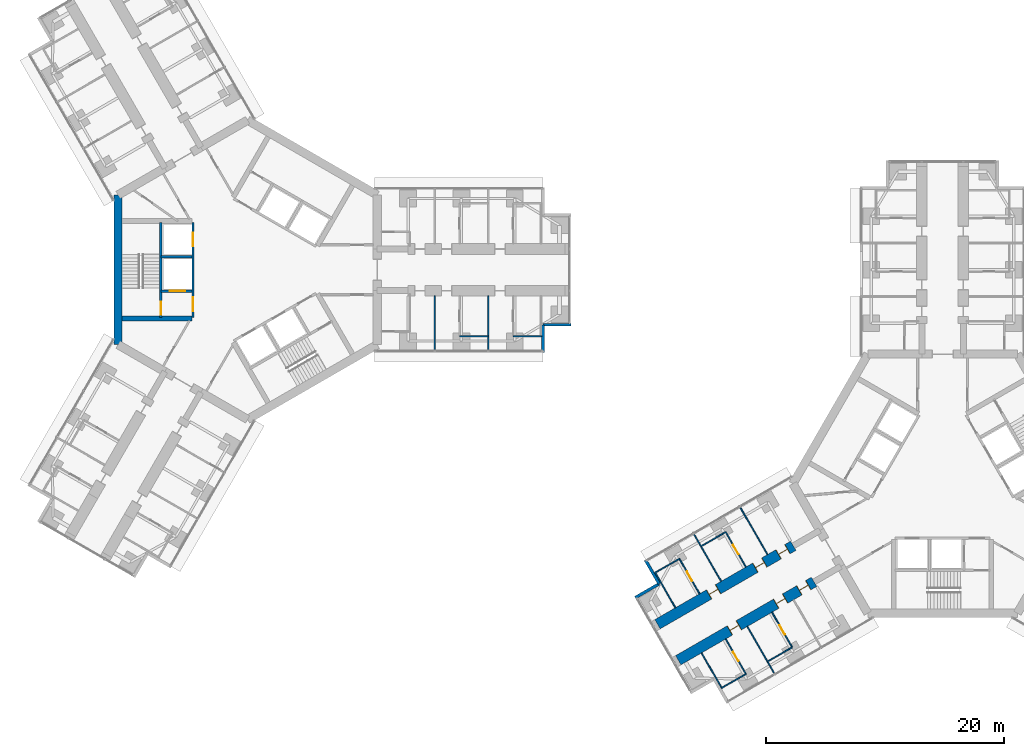
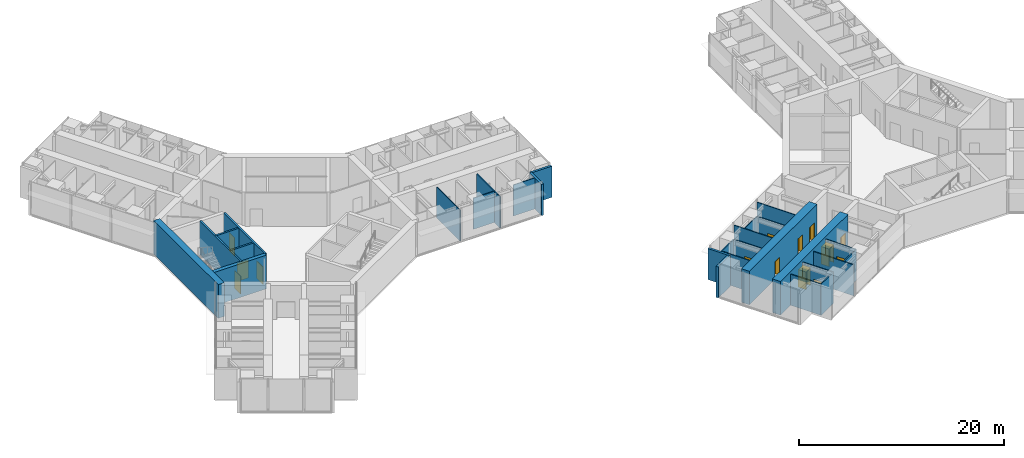
# One storey, part 17 of 25: 29 walls, 14 doors, 14 openings.
"""IFC4 building model written with IfcOpenShell, lengths in metres."""

from ifc_helpers import new_model, si_unit, direction, frame, frame_2d, origin, place, context, subcontext, project, spatial, rectangle, extrude, material, layer, layer_set, type_object, element, fill, save


model = new_model("IFC4")

# Units and contexts
model_context = context("Model", 3, precision=1e-05, world=origin(), true_north=direction((0.0, 1.0)))
body_context = subcontext(model_context, "Body", "Model", "MODEL_VIEW")
ifc_project = project(units=[si_unit("LENGTHUNIT", "METRE"), si_unit("AREAUNIT", "SQUARE_METRE"), si_unit("VOLUMEUNIT", "CUBIC_METRE"), si_unit("PLANEANGLEUNIT", "RADIAN"), si_unit("MASSUNIT", "GRAM", prefix="KILO")], contexts=[model_context])

# Site, building, storey
site_placement = place(None, origin())
site = spatial("IfcSite", under=ifc_project, at=site_placement, CompositionType="ELEMENT")
building_placement = place(site_placement, origin())
building = spatial("IfcBuilding", under=site, at=building_placement, Name="Upepo Twin Towers", CompositionType="ELEMENT")
storey_placement = place(building_placement, frame((0.0, 0.0, 88.5)))
storey = spatial("IfcBuildingStorey", under=building, at=storey_placement, Name="L21", CompositionType="ELEMENT", Elevation=88.5)

# Wall, openings, doors
ifc_material_1 = material(Name="Concrete C60/75", Category="concrete")
ifc_layer_1 = layer(ifc_material_1, 0.89990234375)
ifc_layer_set_1 = layer_set([ifc_layer_1], Name="Concrete C60/75")
wall_type_1 = type_object("IfcWallType", Name="Buttress wall 900 RC", PredefinedType="SHEAR", material=ifc_layer_set_1)
wall_1_placement = place(storey_placement, frame((47.68359375, -26.265625, 0.0), z_axis=(0.0, 0.0, 1.0), x_axis=(-0.866027579429, -0.499996231654, 0.0)))
wall_1 = element("IfcWall", 1, at=wall_1_placement, inside=storey, type_object=wall_type_1, Name="T2 wing B buttress wall L part 2", PredefinedType="SHEAR", context=body_context, shape_type="SweptSolid", body=[
    extrude(rectangle(XDim=13.19970703125, YDim=0.89990234375, at=frame_2d((6.599853515625, 0.0))), origin(), (0.0, 0.0, 1.0), 4.0),
])
opening_1_placement = place(wall_1_placement, frame((0.550048828125, 0.0, 0.0)))
opening_1 = element("IfcOpeningElement", 2, at=opening_1_placement, cuts=wall_1, Name="Opening D14", PredefinedType="OPENING", context=body_context, shape_type="SweptSolid", body=[
    extrude(rectangle(XDim=0.89990234375, YDim=2.10009765625, at=frame_2d((0.449951171875, 1.050048828125))), frame((0.0, 0.4599609375, 0.0), z_axis=(0.0, -1.0, 0.0), x_axis=(1.0, 0.0, 0.0)), (0.0, 0.0, 1.0), 0.919921875),
])
opening_2_placement = place(wall_1_placement, frame((2.800048828125, 0.0, 0.0)))
opening_2 = element("IfcOpeningElement", 3, at=opening_2_placement, cuts=wall_1, Name="Opening D14", PredefinedType="OPENING", context=body_context, shape_type="SweptSolid", body=[
    extrude(rectangle(XDim=0.89990234375, YDim=2.10009765625, at=frame_2d((0.449951171875, 1.050048828125))), frame((0.0, 0.4599609375, 0.0), z_axis=(0.0, -1.0, 0.0), x_axis=(1.0, 0.0, 0.0)), (0.0, 0.0, 1.0), 0.919921875),
])
opening_3_placement = place(wall_1_placement, frame((7.300048828125, 0.0, 0.0)))
opening_3 = element("IfcOpeningElement", 4, at=opening_3_placement, cuts=wall_1, Name="Opening D14", PredefinedType="OPENING", context=body_context, shape_type="SweptSolid", body=[
    extrude(rectangle(XDim=0.89990234375, YDim=2.10009765625, at=frame_2d((0.449951171875, 1.050048828125))), frame((0.0, 0.4599609375, 0.0), z_axis=(0.0, -1.0, 0.0), x_axis=(1.0, 0.0, 0.0)), (0.0, 0.0, 1.0), 0.919921875),
])
ifc_material_2 = material(Name="Timber doorset", Category="wood")
door_type_1 = type_object("IfcDoorType", Name="Office door 900 FD30", OperationType="SINGLE_SWING_LEFT", PredefinedType="DOOR", material=ifc_material_2)
door_1_placement = place(opening_1_placement, origin())
door_1 = element("IfcDoor", 5, at=door_1_placement, inside=storey, type_object=door_type_1, Name="T2 L21 staff office door", OperationType="SINGLE_SWING_LEFT", OverallHeight=2.10009765625, OverallWidth=0.89990234375, PredefinedType="DOOR", context=body_context, shape_type="SweptSolid", body=[
    extrude(rectangle(XDim=0.81990234375, YDim=2.06009765625, at=frame_2d((0.449951171875, 1.030029296875))), frame((0.0, 0.02490234375, 0.0), z_axis=(0.0, -1.0, 0.0), x_axis=(1.0, 0.0, 0.0)), (0.0, 0.0, 1.0), 0.050048828125),
    extrude(rectangle(XDim=0.04, YDim=2.10009765625, at=frame_2d((0.02001953125, 1.050048828125))), frame((0.0, 0.44970703125, 0.0), z_axis=(0.0, -1.0, 0.0), x_axis=(1.0, 0.0, 0.0)), (0.0, 0.0, 1.0), 0.8994140625),
    extrude(rectangle(XDim=0.04, YDim=2.10009765625, at=frame_2d((0.8798828125, 1.050048828125))), frame((0.0, 0.44970703125, 0.0), z_axis=(0.0, -1.0, 0.0), x_axis=(1.0, 0.0, 0.0)), (0.0, 0.0, 1.0), 0.8994140625),
    extrude(rectangle(XDim=0.81990234375, YDim=0.04, at=frame_2d((0.449951171875, 2.080078125))), frame((0.0, 0.44970703125, 0.0), z_axis=(0.0, -1.0, 0.0), x_axis=(1.0, 0.0, 0.0)), (0.0, 0.0, 1.0), 0.8994140625),
])
fill(opening_1, door_1)
door_2_placement = place(opening_2_placement, origin())
door_2 = element("IfcDoor", 6, at=door_2_placement, inside=storey, type_object=door_type_1, Name="T2 L21 meeting room door", OperationType="SINGLE_SWING_LEFT", OverallHeight=2.10009765625, OverallWidth=0.89990234375, PredefinedType="DOOR", context=body_context, shape_type="SweptSolid", body=[
    extrude(rectangle(XDim=0.81990234375, YDim=2.06009765625, at=frame_2d((0.449951171875, 1.030029296875))), frame((0.0, 0.02490234375, 0.0), z_axis=(0.0, -1.0, 0.0), x_axis=(1.0, 0.0, 0.0)), (0.0, 0.0, 1.0), 0.050048828125),
    extrude(rectangle(XDim=0.04, YDim=2.10009765625, at=frame_2d((0.02001953125, 1.050048828125))), frame((0.0, 0.44970703125, 0.0), z_axis=(0.0, -1.0, 0.0), x_axis=(1.0, 0.0, 0.0)), (0.0, 0.0, 1.0), 0.8994140625),
    extrude(rectangle(XDim=0.04, YDim=2.10009765625, at=frame_2d((0.8798828125, 1.050048828125))), frame((0.0, 0.44970703125, 0.0), z_axis=(0.0, -1.0, 0.0), x_axis=(1.0, 0.0, 0.0)), (0.0, 0.0, 1.0), 0.8994140625),
    extrude(rectangle(XDim=0.81990234375, YDim=0.04, at=frame_2d((0.449951171875, 2.080078125))), frame((0.0, 0.44970703125, 0.0), z_axis=(0.0, -1.0, 0.0), x_axis=(1.0, 0.0, 0.0)), (0.0, 0.0, 1.0), 0.8994140625),
])
fill(opening_2, door_2)
door_3_placement = place(opening_3_placement, origin())
door_3 = element("IfcDoor", 7, at=door_3_placement, inside=storey, type_object=door_type_1, Name="T2 L21 staff office door", OperationType="SINGLE_SWING_RIGHT", OverallHeight=2.10009765625, OverallWidth=0.89990234375, PredefinedType="DOOR", context=body_context, shape_type="SweptSolid", body=[
    extrude(rectangle(XDim=0.81990234375, YDim=2.06009765625, at=frame_2d((0.449951171875, 1.030029296875))), frame((0.0, 0.02490234375, 0.0), z_axis=(0.0, -1.0, 0.0), x_axis=(1.0, 0.0, 0.0)), (0.0, 0.0, 1.0), 0.050048828125),
    extrude(rectangle(XDim=0.04, YDim=2.10009765625, at=frame_2d((0.02001953125, 1.050048828125))), frame((0.0, 0.44970703125, 0.0), z_axis=(0.0, -1.0, 0.0), x_axis=(1.0, 0.0, 0.0)), (0.0, 0.0, 1.0), 0.8994140625),
    extrude(rectangle(XDim=0.04, YDim=2.10009765625, at=frame_2d((0.8798828125, 1.050048828125))), frame((0.0, 0.44970703125, 0.0), z_axis=(0.0, -1.0, 0.0), x_axis=(1.0, 0.0, 0.0)), (0.0, 0.0, 1.0), 0.8994140625),
    extrude(rectangle(XDim=0.81990234375, YDim=0.04, at=frame_2d((0.449951171875, 2.080078125))), frame((0.0, 0.44970703125, 0.0), z_axis=(0.0, -1.0, 0.0), x_axis=(1.0, 0.0, 0.0)), (0.0, 0.0, 1.0), 0.8994140625),
])
fill(opening_3, door_3)

wall_2_placement = place(storey_placement, frame((45.93359375, -23.234375, 0.0), z_axis=(0.0, 0.0, 1.0), x_axis=(-0.866019570528, -0.500010103361, 0.0)))
wall_2 = element("IfcWall", 8, at=wall_2_placement, inside=storey, type_object=wall_type_1, Name="T2 wing B buttress wall R part 2", PredefinedType="SHEAR", context=body_context, shape_type="SweptSolid", body=[
    extrude(rectangle(XDim=13.199951171875, YDim=0.89990234375, at=frame_2d((6.60009765625, 0.0))), origin(), (0.0, 0.0, 1.0), 4.0),
])
opening_4_placement = place(wall_2_placement, frame((0.550048828125, 0.0, 0.0)))
opening_4 = element("IfcOpeningElement", 9, at=opening_4_placement, cuts=wall_2, Name="Opening D14", PredefinedType="OPENING", context=body_context, shape_type="SweptSolid", body=[
    extrude(rectangle(XDim=0.89990234375, YDim=2.10009765625, at=frame_2d((0.449951171875, 1.050048828125))), frame((0.0, 0.4599609375, 0.0), z_axis=(0.0, -1.0, 0.0), x_axis=(1.0, 0.0, 0.0)), (0.0, 0.0, 1.0), 0.919921875),
])
opening_5_placement = place(wall_2_placement, frame((2.800048828125, 0.0, 0.0)))
opening_5 = element("IfcOpeningElement", 10, at=opening_5_placement, cuts=wall_2, Name="Opening D14", PredefinedType="OPENING", context=body_context, shape_type="SweptSolid", body=[
    extrude(rectangle(XDim=0.89990234375, YDim=2.10009765625, at=frame_2d((0.449951171875, 1.050048828125))), frame((0.0, 0.4599609375, 0.0), z_axis=(0.0, -1.0, 0.0), x_axis=(1.0, 0.0, 0.0)), (0.0, 0.0, 1.0), 0.919921875),
])
opening_6_placement = place(wall_2_placement, frame((7.300048828125, 0.0, 0.0)))
opening_6 = element("IfcOpeningElement", 11, at=opening_6_placement, cuts=wall_2, Name="Opening D14", PredefinedType="OPENING", context=body_context, shape_type="SweptSolid", body=[
    extrude(rectangle(XDim=0.89990234375, YDim=2.10009765625, at=frame_2d((0.449951171875, 1.050048828125))), frame((0.0, 0.4599609375, 0.0), z_axis=(0.0, -1.0, 0.0), x_axis=(1.0, 0.0, 0.0)), (0.0, 0.0, 1.0), 0.919921875),
])
door_4_placement = place(opening_4_placement, origin())
door_4 = element("IfcDoor", 12, at=door_4_placement, inside=storey, type_object=door_type_1, Name="T2 L21 postgraduate office door", OperationType="SINGLE_SWING_LEFT", OverallHeight=2.10009765625, OverallWidth=0.89990234375, PredefinedType="DOOR", context=body_context, shape_type="SweptSolid", body=[
    extrude(rectangle(XDim=0.81990234375, YDim=2.06009765625, at=frame_2d((0.449951171875, 1.030029296875))), frame((0.0, 0.02490234375, 0.0), z_axis=(0.0, -1.0, 0.0), x_axis=(1.0, 0.0, 0.0)), (0.0, 0.0, 1.0), 0.050048828125),
    extrude(rectangle(XDim=0.04, YDim=2.10009765625, at=frame_2d((0.02001953125, 1.050048828125))), frame((0.0, 0.44970703125, 0.0), z_axis=(0.0, -1.0, 0.0), x_axis=(1.0, 0.0, 0.0)), (0.0, 0.0, 1.0), 0.8994140625),
    extrude(rectangle(XDim=0.04, YDim=2.10009765625, at=frame_2d((0.8798828125, 1.050048828125))), frame((0.0, 0.44970703125, 0.0), z_axis=(0.0, -1.0, 0.0), x_axis=(1.0, 0.0, 0.0)), (0.0, 0.0, 1.0), 0.8994140625),
    extrude(rectangle(XDim=0.81990234375, YDim=0.04, at=frame_2d((0.449951171875, 2.080078125))), frame((0.0, 0.44970703125, 0.0), z_axis=(0.0, -1.0, 0.0), x_axis=(1.0, 0.0, 0.0)), (0.0, 0.0, 1.0), 0.8994140625),
])
fill(opening_4, door_4)
door_5_placement = place(opening_5_placement, origin())
door_5 = element("IfcDoor", 13, at=door_5_placement, inside=storey, type_object=door_type_1, Name="T2 L21 staff office door", OperationType="SINGLE_SWING_LEFT", OverallHeight=2.10009765625, OverallWidth=0.89990234375, PredefinedType="DOOR", context=body_context, shape_type="SweptSolid", body=[
    extrude(rectangle(XDim=0.81990234375, YDim=2.06009765625, at=frame_2d((0.449951171875, 1.030029296875))), frame((0.0, 0.02490234375, 0.0), z_axis=(0.0, -1.0, 0.0), x_axis=(1.0, 0.0, 0.0)), (0.0, 0.0, 1.0), 0.050048828125),
    extrude(rectangle(XDim=0.04, YDim=2.10009765625, at=frame_2d((0.02001953125, 1.050048828125))), frame((0.0, 0.44970703125, 0.0), z_axis=(0.0, -1.0, 0.0), x_axis=(1.0, 0.0, 0.0)), (0.0, 0.0, 1.0), 0.8994140625),
    extrude(rectangle(XDim=0.04, YDim=2.10009765625, at=frame_2d((0.8798828125, 1.050048828125))), frame((0.0, 0.44970703125, 0.0), z_axis=(0.0, -1.0, 0.0), x_axis=(1.0, 0.0, 0.0)), (0.0, 0.0, 1.0), 0.8994140625),
    extrude(rectangle(XDim=0.81990234375, YDim=0.04, at=frame_2d((0.449951171875, 2.080078125))), frame((0.0, 0.44970703125, 0.0), z_axis=(0.0, -1.0, 0.0), x_axis=(1.0, 0.0, 0.0)), (0.0, 0.0, 1.0), 0.8994140625),
])
fill(opening_5, door_5)
door_6_placement = place(opening_6_placement, origin())
door_6 = element("IfcDoor", 14, at=door_6_placement, inside=storey, type_object=door_type_1, Name="T2 L21 meeting room door", OperationType="SINGLE_SWING_RIGHT", OverallHeight=2.10009765625, OverallWidth=0.89990234375, PredefinedType="DOOR", context=body_context, shape_type="SweptSolid", body=[
    extrude(rectangle(XDim=0.81990234375, YDim=2.06009765625, at=frame_2d((0.449951171875, 1.030029296875))), frame((0.0, 0.02490234375, 0.0), z_axis=(0.0, -1.0, 0.0), x_axis=(1.0, 0.0, 0.0)), (0.0, 0.0, 1.0), 0.050048828125),
    extrude(rectangle(XDim=0.04, YDim=2.10009765625, at=frame_2d((0.02001953125, 1.050048828125))), frame((0.0, 0.44970703125, 0.0), z_axis=(0.0, -1.0, 0.0), x_axis=(1.0, 0.0, 0.0)), (0.0, 0.0, 1.0), 0.8994140625),
    extrude(rectangle(XDim=0.04, YDim=2.10009765625, at=frame_2d((0.8798828125, 1.050048828125))), frame((0.0, 0.44970703125, 0.0), z_axis=(0.0, -1.0, 0.0), x_axis=(1.0, 0.0, 0.0)), (0.0, 0.0, 1.0), 0.8994140625),
    extrude(rectangle(XDim=0.81990234375, YDim=0.04, at=frame_2d((0.449951171875, 2.080078125))), frame((0.0, 0.44970703125, 0.0), z_axis=(0.0, -1.0, 0.0), x_axis=(1.0, 0.0, 0.0)), (0.0, 0.0, 1.0), 0.8994140625),
])
fill(opening_6, door_6)

# Walls
ifc_material_3 = material(Name="Concrete C60/75", Category="concrete")
ifc_layer_2 = layer(ifc_material_3, 0.699951171875)
ifc_layer_set_2 = layer_set([ifc_layer_2], Name="Concrete C60/75")
wall_type_2 = type_object("IfcWallType", Name="Core wall 700 RC", PredefinedType="SHEAR", material=ifc_layer_set_2)
wall_3_placement = place(storey_placement, frame((-10.908447265625, 6.2978515625, 0.0), z_axis=(0.0, 0.0, 1.0), x_axis=(0.0, -1.0, 0.0)))
element("IfcWall", 15, at=wall_3_placement, inside=storey, type_object=wall_type_2, Name="T1 core wall 180", PredefinedType="SHEAR", context=body_context, shape_type="SweptSolid", body=[
    extrude(rectangle(XDim=12.595703125, YDim=0.699951171875, at=frame_2d((6.2978515625, 0.0))), origin(), (0.0, 0.0, 1.0), 4.0),
])
ifc_material_4 = material(Name="Blockwork with anodised aluminium cladding", Category="masonry")
ifc_layer_3 = layer(ifc_material_4, 0.25)
ifc_layer_set_3 = layer_set([ifc_layer_3], Name="Notch cladding wall 250, pale metal")
wall_type_3 = type_object("IfcWallType", Name="Notch cladding wall 250, pale metal", PredefinedType="STANDARD", material=ifc_layer_set_3)
for number, where, z_axis, x_axis, name in (
    (16, (24.875, -6.949951171875, 0.0), (0.0, 0.0, 1.0), (0.0, 1.0, 0.0), "T1 L21 wing A notch wall R1"),
    (17, (24.875, -4.625, 0.0), (0.0, 0.0, 1.0), (1.0, 0.0, 0.0), "T1 L21 wing A notch wall R2"),
    (18, (33.482666015625, -24.418701171875, 0.0), (0.0, 0.0, 1.0), (0.499967891604, -0.866043940782, 0.0), "T2 L21 wing B notch wall R1"),
    (19, (34.64501953125, -26.43212890625, 0.0), (0.0, 0.0, 1.0), (-0.865998469481, -0.500046648681, 0.0), "T2 L21 wing B notch wall R2"),
):
    element("IfcWall", number, at=place(storey_placement, frame(where, z_axis=z_axis, x_axis=x_axis)), inside=storey, type_object=wall_type_3, Name=name, PredefinedType="STANDARD", context=body_context, shape_type="SweptSolid", body=[
        extrude(rectangle(XDim=2.324951171875, YDim=0.25, at=frame_2d((1.16259765625, 0.0))), origin(), (0.0, 0.0, 1.0), 3.699951171875),
    ])
ifc_material_5 = material(Name="Gypsum board on steel studs", Category="steel")
ifc_layer_4 = layer(ifc_material_5, 0.10009765625)
ifc_layer_set_4 = layer_set([ifc_layer_4], Name="Office partition 100 stud")
wall_type_4 = type_object("IfcWallType", Name="Office partition 100 stud", PredefinedType="PARTITIONING", material=ifc_layer_set_4)
for number, where, z_axis, x_axis, name in (
    (20, (15.75, -2.199951171875, 0.0), (0.0, 0.0, 1.0), (0.0, -1.0, 0.0), "T1 partition AR at 15.75"),
    (21, (20.25, -2.199951171875, 0.0), (0.0, 0.0, 1.0), (0.0, -1.0, 0.0), "T1 partition AR at 20.25"),
):
    element("IfcWall", number, at=place(storey_placement, frame(where, z_axis=z_axis, x_axis=x_axis)), inside=storey, type_object=wall_type_4, Name=name, PredefinedType="PARTITIONING", context=body_context, shape_type="SweptSolid", body=[
        extrude(rectangle(XDim=4.550048828125, YDim=0.10009765625, at=frame_2d((2.27490234375, 0.0))), origin(), (0.0, 0.0, 1.0), 3.699951171875),
    ])
for number, where, z_axis, x_axis, name in (
    (22, (17.85009765625, -5.60009765625, 0.0), (0.0, 0.0, 1.0), (1.0, 0.0, 0.0), "T1 inner room partition AR at 17.85"),
    (23, (22.35009765625, -5.60009765625, 0.0), (0.0, 0.0, 1.0), (1.0, 0.0, 0.0), "T1 inner room partition AR at 22.35"),
):
    element("IfcWall", number, at=place(storey_placement, frame(where, z_axis=z_axis, x_axis=x_axis)), inside=storey, type_object=wall_type_4, Name=name, PredefinedType="PARTITIONING", context=body_context, shape_type="SweptSolid", body=[
        extrude(rectangle(XDim=2.39990234375, YDim=0.10009765625, at=frame_2d((1.199951171875, 0.0))), origin(), (0.0, 0.0, 1.0), 3.699951171875),
    ])
wall_4_placement = place(storey_placement, frame((42.06298828125, -30.0302734375, 0.0), z_axis=(0.0, 0.0, 1.0), x_axis=(0.499982560684, -0.866035472144, 0.0)))
element("IfcWall", 24, at=wall_4_placement, inside=storey, type_object=wall_type_4, Name="T2 partition BL at 20.25", PredefinedType="PARTITIONING", context=body_context, shape_type="SweptSolid", body=[
    extrude(rectangle(XDim=4.550048828125, YDim=0.10009765625, at=frame_2d((2.27490234375, 0.0))), origin(), (0.0, 0.0, 1.0), 3.699951171875),
])
wall_5_placement = place(storey_placement, frame((45.841552734375, -31.774658203125, 0.0), z_axis=(0.0, 0.0, 1.0), x_axis=(-0.866006032174, -0.500033551112, 0.0)))
element("IfcWall", 25, at=wall_5_placement, inside=storey, type_object=wall_type_4, Name="T2 inner room partition BL at 17.85", PredefinedType="PARTITIONING", context=body_context, shape_type="SweptSolid", body=[
    extrude(rectangle(XDim=2.400146484375, YDim=0.10009765625, at=frame_2d((1.2001953125, 0.0))), origin(), (0.0, 0.0, 1.0), 3.699951171875),
])

# Wall, opening, door
wall_6_placement = place(storey_placement, frame((44.141357421875, -28.830322265625, 0.0), z_axis=(0.0, 0.0, 1.0), x_axis=(0.500062241894, -0.865989465428, 0.0)))
wall_6 = element("IfcWall", 26, at=wall_6_placement, inside=storey, type_object=wall_type_4, Name="T2 inner room partition BL end at 17.85", PredefinedType="PARTITIONING", context=body_context, shape_type="SweptSolid", body=[
    extrude(rectangle(XDim=3.39990234375, YDim=0.10009765625, at=frame_2d((1.699951171875, 0.0))), origin(), (0.0, 0.0, 1.0), 3.699951171875),
])
opening_7_placement = place(wall_6_placement, frame((1.25, 0.0, 0.0)))
opening_7 = element("IfcOpeningElement", 27, at=opening_7_placement, cuts=wall_6, Name="Opening D14", PredefinedType="OPENING", context=body_context, shape_type="SweptSolid", body=[
    extrude(rectangle(XDim=0.89990234375, YDim=2.10009765625, at=frame_2d((0.449951171875, 1.050048828125))), frame((0.0, 0.06005859375, 0.0), z_axis=(0.0, -1.0, 0.0), x_axis=(1.0, 0.0, 0.0)), (0.0, 0.0, 1.0), 0.1201171875),
])
door_7_placement = place(opening_7_placement, origin())
door_7 = element("IfcDoor", 28, at=door_7_placement, inside=storey, type_object=door_type_1, Name="T2 L21 inner room door", OperationType="SINGLE_SWING_LEFT", OverallHeight=2.10009765625, OverallWidth=0.89990234375, PredefinedType="DOOR", context=body_context, shape_type="SweptSolid", body=[
    extrude(rectangle(XDim=0.89990234375, YDim=2.10009765625, at=frame_2d((0.449951171875, 1.050048828125))), frame((0.0, 0.02490234375, 0.0), z_axis=(0.0, -1.0, 0.0), x_axis=(1.0, 0.0, 0.0)), (0.0, 0.0, 1.0), 0.050048828125),
])
fill(opening_7, door_7)

# Wall
wall_7_placement = place(storey_placement, frame((41.9443359375, -34.024658203125, 0.0), z_axis=(0.0, 0.0, 1.0), x_axis=(-0.865980596518, -0.500077600433, 0.0)))
element("IfcWall", 29, at=wall_7_placement, inside=storey, type_object=wall_type_4, Name="T2 inner room partition BL at 22.35", PredefinedType="PARTITIONING", context=body_context, shape_type="SweptSolid", body=[
    extrude(rectangle(XDim=2.39990234375, YDim=0.10009765625, at=frame_2d((1.199951171875, 0.0))), origin(), (0.0, 0.0, 1.0), 3.699951171875),
])

# Wall, opening, door
wall_8_placement = place(storey_placement, frame((40.244384765625, -31.080322265625, 0.0), z_axis=(0.0, 0.0, 1.0), x_axis=(0.500008388397, -0.866020560687, 0.0)))
wall_8 = element("IfcWall", 30, at=wall_8_placement, inside=storey, type_object=wall_type_4, Name="T2 inner room partition BL end at 22.35", PredefinedType="PARTITIONING", context=body_context, shape_type="SweptSolid", body=[
    extrude(rectangle(XDim=3.39990234375, YDim=0.10009765625, at=frame_2d((1.699951171875, 0.0))), origin(), (0.0, 0.0, 1.0), 3.699951171875),
])
opening_8_placement = place(wall_8_placement, frame((1.25, 0.0, 0.0)))
opening_8 = element("IfcOpeningElement", 31, at=opening_8_placement, cuts=wall_8, Name="Opening D14", PredefinedType="OPENING", context=body_context, shape_type="SweptSolid", body=[
    extrude(rectangle(XDim=0.89990234375, YDim=2.10009765625, at=frame_2d((0.449951171875, 1.050048828125))), frame((0.0, 0.06005859375, 0.0), z_axis=(0.0, -1.0, 0.0), x_axis=(1.0, 0.0, 0.0)), (0.0, 0.0, 1.0), 0.1201171875),
])
door_8_placement = place(opening_8_placement, origin())
door_8 = element("IfcDoor", 32, at=door_8_placement, inside=storey, type_object=door_type_1, Name="T2 L21 inner room door", OperationType="SINGLE_SWING_LEFT", OverallHeight=2.10009765625, OverallWidth=0.89990234375, PredefinedType="DOOR", context=body_context, shape_type="SweptSolid", body=[
    extrude(rectangle(XDim=0.89990234375, YDim=2.10009765625, at=frame_2d((0.449951171875, 1.050048828125))), frame((0.0, 0.02490234375, 0.0), z_axis=(0.0, -1.0, 0.0), x_axis=(1.0, 0.0, 0.0)), (0.0, 0.0, 1.0), 0.050048828125),
])
fill(opening_8, door_8)

# Walls
wall_9_placement = place(storey_placement, frame((38.209228515625, -32.25537109375, 0.0), z_axis=(0.0, 0.0, 1.0), x_axis=(0.500008388397, -0.866020560687, 0.0)))
element("IfcWall", 33, at=wall_9_placement, inside=storey, type_object=wall_type_4, Name="T2 inner room partition BL end at 24.75", PredefinedType="PARTITIONING", context=body_context, shape_type="SweptSolid", body=[
    extrude(rectangle(XDim=3.39990234375, YDim=0.10009765625, at=frame_2d((1.699951171875, 0.0))), origin(), (0.0, 0.0, 1.0), 3.699951171875),
])
for number, where, z_axis, x_axis, name in (
    (34, (43.760009765625, -23.9697265625, 0.0), (0.0, 0.0, 1.0), (-0.499982560684, 0.866035472144, 0.0), "T2 partition BR at 15.75"),
    (35, (39.863037109375, -26.2197265625, 0.0), (0.0, 0.0, 1.0), (-0.500022803284, 0.866012237902, 0.0), "T2 partition BR at 20.25"),
):
    element("IfcWall", number, at=place(storey_placement, frame(where, z_axis=z_axis, x_axis=x_axis)), inside=storey, type_object=wall_type_4, Name=name, PredefinedType="PARTITIONING", context=body_context, shape_type="SweptSolid", body=[
        extrude(rectangle(XDim=4.550048828125, YDim=0.10009765625, at=frame_2d((2.27490234375, 0.0))), origin(), (0.0, 0.0, 1.0), 3.699951171875),
    ])
wall_10_placement = place(storey_placement, frame((40.241455078125, -22.0751953125, 0.0), z_axis=(0.0, 0.0, 1.0), x_axis=(-0.866024647952, -0.500001309137, 0.0)))
element("IfcWall", 36, at=wall_10_placement, inside=storey, type_object=wall_type_4, Name="T2 inner room partition BR at 17.85", PredefinedType="PARTITIONING", context=body_context, shape_type="SweptSolid", body=[
    extrude(rectangle(XDim=2.39990234375, YDim=0.10009765625, at=frame_2d((1.199951171875, 0.0))), origin(), (0.0, 0.0, 1.0), 3.699951171875),
])

# Wall, opening, door
wall_11_placement = place(storey_placement, frame((41.94140625, -25.019775390625, 0.0), z_axis=(0.0, 0.0, 1.0), x_axis=(-0.499977295307, 0.866038511948, 0.0)))
wall_11 = element("IfcWall", 37, at=wall_11_placement, inside=storey, type_object=wall_type_4, Name="T2 inner room partition BR end at 17.85", PredefinedType="PARTITIONING", context=body_context, shape_type="SweptSolid", body=[
    extrude(rectangle(XDim=3.400146484375, YDim=0.10009765625, at=frame_2d((1.7001953125, 0.0))), origin(), (0.0, 0.0, 1.0), 3.699951171875),
])
opening_9_placement = place(wall_11_placement, frame((1.25, 0.0, 0.0)))
opening_9 = element("IfcOpeningElement", 38, at=opening_9_placement, cuts=wall_11, Name="Opening D14", PredefinedType="OPENING", context=body_context, shape_type="SweptSolid", body=[
    extrude(rectangle(XDim=0.89990234375, YDim=2.10009765625, at=frame_2d((0.449951171875, 1.050048828125))), frame((0.0, 0.06005859375, 0.0), z_axis=(0.0, -1.0, 0.0), x_axis=(1.0, 0.0, 0.0)), (0.0, 0.0, 1.0), 0.1201171875),
])
door_9_placement = place(opening_9_placement, origin())
door_9 = element("IfcDoor", 39, at=door_9_placement, inside=storey, type_object=door_type_1, Name="T2 L21 inner room door", OperationType="SINGLE_SWING_LEFT", OverallHeight=2.10009765625, OverallWidth=0.89990234375, PredefinedType="DOOR", context=body_context, shape_type="SweptSolid", body=[
    extrude(rectangle(XDim=0.89990234375, YDim=2.10009765625, at=frame_2d((0.449951171875, 1.050048828125))), frame((0.0, 0.02490234375, 0.0), z_axis=(0.0, -1.0, 0.0), x_axis=(1.0, 0.0, 0.0)), (0.0, 0.0, 1.0), 0.050048828125),
])
fill(opening_9, door_9)

# Wall
wall_12_placement = place(storey_placement, frame((36.34423828125, -24.3251953125, 0.0), z_axis=(0.0, 0.0, 1.0), x_axis=(-0.866024647952, -0.500001309137, 0.0)))
element("IfcWall", 40, at=wall_12_placement, inside=storey, type_object=wall_type_4, Name="T2 inner room partition BR at 22.35", PredefinedType="PARTITIONING", context=body_context, shape_type="SweptSolid", body=[
    extrude(rectangle(XDim=2.39990234375, YDim=0.10009765625, at=frame_2d((1.199951171875, 0.0))), origin(), (0.0, 0.0, 1.0), 3.699951171875),
])

# Wall, opening, door
wall_13_placement = place(storey_placement, frame((38.04443359375, -27.269775390625, 0.0), z_axis=(0.0, 0.0, 1.0), x_axis=(-0.500031147688, 0.866007419912, 0.0)))
wall_13 = element("IfcWall", 41, at=wall_13_placement, inside=storey, type_object=wall_type_4, Name="T2 inner room partition BR end at 22.35", PredefinedType="PARTITIONING", context=body_context, shape_type="SweptSolid", body=[
    extrude(rectangle(XDim=3.400146484375, YDim=0.10009765625, at=frame_2d((1.7001953125, 0.0))), origin(), (0.0, 0.0, 1.0), 3.699951171875),
])
opening_10_placement = place(wall_13_placement, frame((1.25, 0.0, 0.0)))
opening_10 = element("IfcOpeningElement", 42, at=opening_10_placement, cuts=wall_13, Name="Opening D14", PredefinedType="OPENING", context=body_context, shape_type="SweptSolid", body=[
    extrude(rectangle(XDim=0.89990234375, YDim=2.10009765625, at=frame_2d((0.449951171875, 1.050048828125))), frame((0.0, 0.06005859375, 0.0), z_axis=(0.0, -1.0, 0.0), x_axis=(1.0, 0.0, 0.0)), (0.0, 0.0, 1.0), 0.1201171875),
])
door_10_placement = place(opening_10_placement, origin())
door_10 = element("IfcDoor", 43, at=door_10_placement, inside=storey, type_object=door_type_1, Name="T2 L21 inner room door", OperationType="SINGLE_SWING_LEFT", OverallHeight=2.10009765625, OverallWidth=0.89990234375, PredefinedType="DOOR", context=body_context, shape_type="SweptSolid", body=[
    extrude(rectangle(XDim=0.89990234375, YDim=2.10009765625, at=frame_2d((0.449951171875, 1.050048828125))), frame((0.0, 0.02490234375, 0.0), z_axis=(0.0, -1.0, 0.0), x_axis=(1.0, 0.0, 0.0)), (0.0, 0.0, 1.0), 0.050048828125),
])
fill(opening_10, door_10)

# Wall
wall_14_placement = place(storey_placement, frame((36.00927734375, -28.44482421875, 0.0), z_axis=(0.0, 0.0, 1.0), x_axis=(-0.500031147688, 0.866007419912, 0.0)))
element("IfcWall", 44, at=wall_14_placement, inside=storey, type_object=wall_type_4, Name="T2 inner room partition BR end at 24.75", PredefinedType="PARTITIONING", context=body_context, shape_type="SweptSolid", body=[
    extrude(rectangle(XDim=3.400146484375, YDim=0.10009765625, at=frame_2d((1.7001953125, 0.0))), origin(), (0.0, 0.0, 1.0), 3.699951171875),
])

# Wall, openings, doors
ifc_material_6 = material(Name="Concrete C40/50", Category="concrete")
ifc_layer_5 = layer(ifc_material_6, 0.199951171875)
ifc_layer_set_5 = layer_set([ifc_layer_5], Name="Concrete C40/50")
wall_type_5 = type_object("IfcWallType", Name="Shaft wall 200 RC", PredefinedType="SHEAR", material=ifc_layer_set_5)
wall_15_placement = place(storey_placement, frame((-4.60009765625, 4.0, 0.0), z_axis=(0.0, 0.0, 1.0), x_axis=(0.0, -1.0, 0.0)))
wall_15 = element("IfcWall", 45, at=wall_15_placement, inside=storey, type_object=wall_type_5, Name="T1 core W180 front wall", PredefinedType="SHEAR", context=body_context, shape_type="SweptSolid", body=[
    extrude(rectangle(XDim=8.0, YDim=0.199951171875, at=frame_2d((4.0, 0.0))), origin(), (0.0, 0.0, 1.0), 4.0),
])
opening_11_placement = place(wall_15_placement, frame((6.300048828125, 0.0, 0.0)))
opening_11 = element("IfcOpeningElement", 46, at=opening_11_placement, cuts=wall_15, Name="Opening D4", PredefinedType="OPENING", context=body_context, shape_type="SweptSolid", body=[
    extrude(rectangle(XDim=1.199951171875, YDim=2.10009765625, at=frame_2d((0.60009765625, 1.050048828125))), frame((0.0, 0.10986328125, 0.0), z_axis=(0.0, -1.0, 0.0), x_axis=(1.0, 0.0, 0.0)), (0.0, 0.0, 1.0), 0.219970703125),
])
opening_12_placement = place(wall_15_placement, frame((0.89990234375, 0.0, 0.0)))
opening_12 = element("IfcOpeningElement", 47, at=opening_12_placement, cuts=wall_15, Name="Opening LD1", PredefinedType="OPENING", context=body_context, shape_type="SweptSolid", body=[
    extrude(rectangle(XDim=1.10009765625, YDim=2.199951171875, at=frame_2d((0.550048828125, 1.10009765625))), frame((0.0, 0.10986328125, 0.0), z_axis=(0.0, -1.0, 0.0), x_axis=(1.0, 0.0, 0.0)), (0.0, 0.0, 1.0), 0.219970703125),
])
ifc_material_7 = material(Name="Steel doorset", Category="steel")
door_type_2 = type_object("IfcDoorType", Name="Lift landing door 1100", OperationType="DOUBLE_DOOR_SLIDING", PredefinedType="DOOR", material=ifc_material_7)
door_11_placement = place(opening_12_placement, origin())
door_11 = element("IfcDoor", 48, at=door_11_placement, inside=storey, type_object=door_type_2, Name="T1 L21 lift SV1 landing door", OperationType="DOUBLE_DOOR_SLIDING", OverallHeight=2.199951171875, OverallWidth=1.10009765625, PredefinedType="DOOR", context=body_context, shape_type="SweptSolid", body=[
    extrude(rectangle(XDim=1.10009765625, YDim=2.199951171875, at=frame_2d((0.550048828125, 1.10009765625))), frame((0.0, 0.02490234375, 0.0), z_axis=(0.0, -1.0, 0.0), x_axis=(1.0, 0.0, 0.0)), (0.0, 0.0, 1.0), 0.050048828125),
])
fill(opening_12, door_11)
ifc_material_8 = material(Name="Timber doorset", Category="wood")
door_type_3 = type_object("IfcDoorType", Name="Lobby door 1200 FD60", OperationType="SINGLE_SWING_LEFT", PredefinedType="DOOR", material=ifc_material_8)
door_12_placement = place(opening_11_placement, origin())
door_12 = element("IfcDoor", 49, at=door_12_placement, inside=storey, type_object=door_type_3, Name="T1 L21 W180 lobby door", OperationType="SINGLE_SWING_RIGHT", OverallHeight=2.10009765625, OverallWidth=1.199951171875, PredefinedType="DOOR", context=body_context, shape_type="SweptSolid", body=[
    extrude(rectangle(XDim=1.199951171875, YDim=2.10009765625, at=frame_2d((0.60009765625, 1.050048828125))), frame((0.0, 0.02490234375, 0.0), z_axis=(0.0, -1.0, 0.0), x_axis=(1.0, 0.0, 0.0)), (0.0, 0.0, 1.0), 0.050048828125),
])
fill(opening_11, door_12)

# Wall
wall_16_placement = place(storey_placement, frame((-4.699951171875, 1.10009765625, 0.0), z_axis=(0.0, 0.0, 1.0), x_axis=(-1.0, 0.0, 0.0)))
element("IfcWall", 50, at=wall_16_placement, inside=storey, type_object=wall_type_5, Name="T1 core W180 shaft divider", PredefinedType="SHEAR", context=body_context, shape_type="SweptSolid", body=[
    extrude(rectangle(XDim=2.60009765625, YDim=0.199951171875, at=frame_2d((1.300048828125, 0.0))), origin(), (0.0, 0.0, 1.0), 4.0),
])

# Wall, opening, door
wall_17_placement = place(storey_placement, frame((-4.699951171875, -1.800048828125, 0.0), z_axis=(0.0, 0.0, 1.0), x_axis=(-1.0, 0.0, 0.0)))
wall_17 = element("IfcWall", 51, at=wall_17_placement, inside=storey, type_object=wall_type_5, Name="T1 core W180 lobby wall", PredefinedType="SHEAR", context=body_context, shape_type="SweptSolid", body=[
    extrude(rectangle(XDim=2.60009765625, YDim=0.199951171875, at=frame_2d((1.300048828125, 0.0))), origin(), (0.0, 0.0, 1.0), 4.0),
])
opening_13_placement = place(wall_17_placement, frame((0.550048828125, 0.0, 0.0)))
opening_13 = element("IfcOpeningElement", 52, at=opening_13_placement, cuts=wall_17, Name="Opening LD2", PredefinedType="OPENING", context=body_context, shape_type="SweptSolid", body=[
    extrude(rectangle(XDim=1.300048828125, YDim=2.199951171875, at=frame_2d((0.64990234375, 1.10009765625))), frame((0.0, 0.10986328125, 0.0), z_axis=(0.0, -1.0, 0.0), x_axis=(1.0, 0.0, 0.0)), (0.0, 0.0, 1.0), 0.219970703125),
])
ifc_material_9 = material(Name="Steel doorset", Category="steel")
door_type_4 = type_object("IfcDoorType", Name="Firefighting lift landing door 1300", OperationType="DOUBLE_DOOR_SLIDING", PredefinedType="DOOR", material=ifc_material_9)
door_13_placement = place(opening_13_placement, origin())
door_13 = element("IfcDoor", 53, at=door_13_placement, inside=storey, type_object=door_type_4, Name="T1 L21 firefighting lift landing door", OperationType="DOUBLE_DOOR_SLIDING", OverallHeight=2.199951171875, OverallWidth=1.300048828125, PredefinedType="DOOR", context=body_context, shape_type="SweptSolid", body=[
    extrude(rectangle(XDim=1.300048828125, YDim=2.199951171875, at=frame_2d((0.64990234375, 1.10009765625))), frame((0.0, 0.02490234375, 0.0), z_axis=(0.0, -1.0, 0.0), x_axis=(1.0, 0.0, 0.0)), (0.0, 0.0, 1.0), 0.050048828125),
])
fill(opening_13, door_13)

wall_18_placement = place(storey_placement, frame((-7.300048828125, 4.0, 0.0), z_axis=(0.0, 0.0, 1.0), x_axis=(0.0, -1.0, 0.0)))
wall_18 = element("IfcWall", 54, at=wall_18_placement, inside=storey, type_object=wall_type_5, Name="T1 core W180 stair wall", PredefinedType="SHEAR", context=body_context, shape_type="SweptSolid", body=[
    extrude(rectangle(XDim=8.0, YDim=0.199951171875, at=frame_2d((4.0, 0.0))), origin(), (0.0, 0.0, 1.0), 4.0),
])
opening_14_placement = place(wall_18_placement, frame((6.699951171875, 0.0, 0.0)))
opening_14 = element("IfcOpeningElement", 55, at=opening_14_placement, cuts=wall_18, Name="Opening D3", PredefinedType="OPENING", context=body_context, shape_type="SweptSolid", body=[
    extrude(rectangle(XDim=1.10009765625, YDim=2.10009765625, at=frame_2d((0.550048828125, 1.050048828125))), frame((0.0, 0.10986328125, 0.0), z_axis=(0.0, -1.0, 0.0), x_axis=(1.0, 0.0, 0.0)), (0.0, 0.0, 1.0), 0.219970703125),
])
ifc_material_10 = material(Name="Timber doorset", Category="wood")
door_type_5 = type_object("IfcDoorType", Name="Stair door 1100 FD60", OperationType="SINGLE_SWING_LEFT", PredefinedType="DOOR", material=ifc_material_10)
door_14_placement = place(opening_14_placement, origin())
door_14 = element("IfcDoor", 56, at=door_14_placement, inside=storey, type_object=door_type_5, Name="T1 L21 stair door", OperationType="SINGLE_SWING_RIGHT", OverallHeight=2.10009765625, OverallWidth=1.10009765625, PredefinedType="DOOR", context=body_context, shape_type="SweptSolid", body=[
    extrude(rectangle(XDim=1.10009765625, YDim=2.10009765625, at=frame_2d((0.550048828125, 1.050048828125))), frame((0.0, 0.02490234375, 0.0), z_axis=(0.0, -1.0, 0.0), x_axis=(1.0, 0.0, 0.0)), (0.0, 0.0, 1.0), 0.050048828125),
])
fill(opening_14, door_14)

# Wall
ifc_material_11 = material(Name="Concrete C40/50", Category="concrete")
ifc_layer_6 = layer(ifc_material_11, 0.39990234375)
ifc_layer_set_6 = layer_set([ifc_layer_6], Name="Concrete C40/50")
wall_type_6 = type_object("IfcWallType", Name="Shaft wall 400 RC", PredefinedType="SHEAR", material=ifc_layer_set_6)
wall_19_placement = place(storey_placement, frame((-4.699951171875, -4.10009765625, 0.0), z_axis=(0.0, 0.0, 1.0), x_axis=(-1.0, 0.0, 0.0)))
element("IfcWall", 57, at=wall_19_placement, inside=storey, type_object=wall_type_6, Name="T1 core W180 side wall N", PredefinedType="SHEAR", context=body_context, shape_type="SweptSolid", body=[
    extrude(rectangle(XDim=5.8583984375, YDim=0.39990234375, at=frame_2d((2.92919921875, 0.0))), origin(), (0.0, 0.0, 1.0), 4.0),
])

save(model, "model.ifc")
